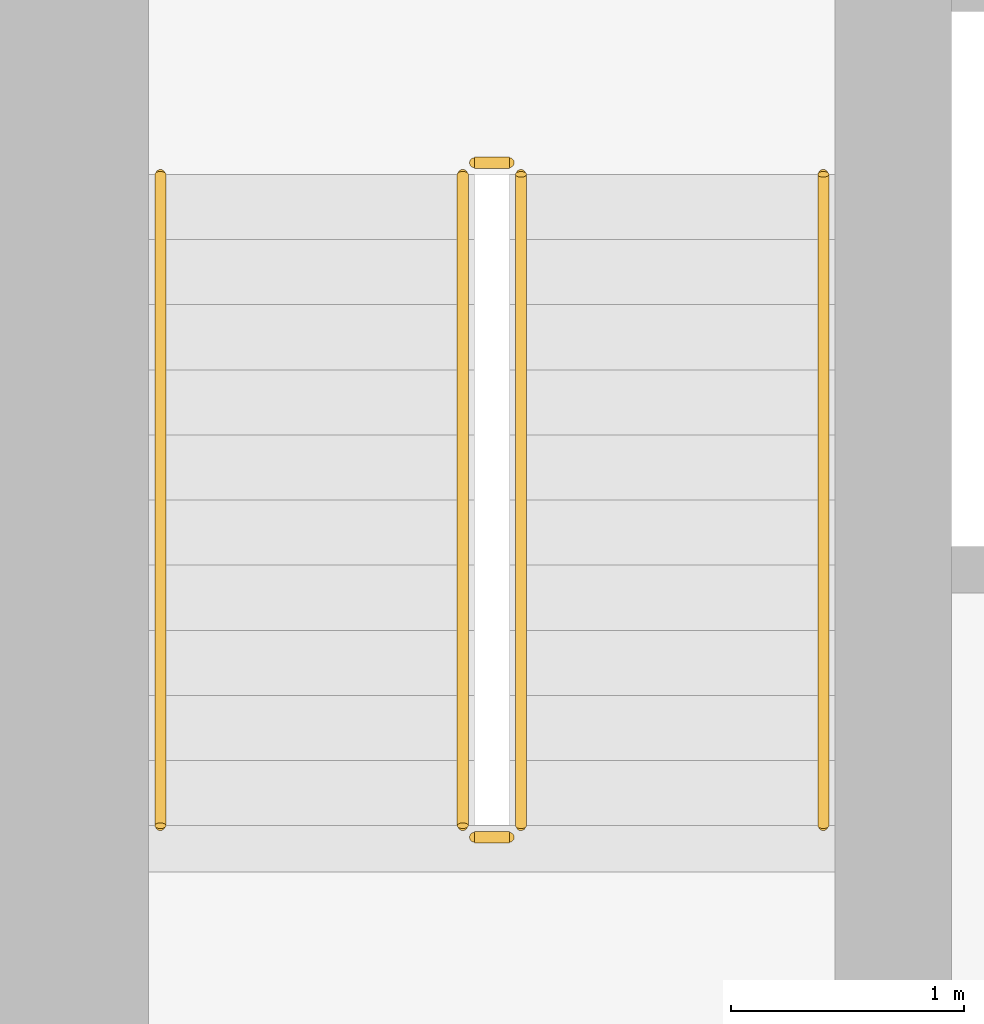
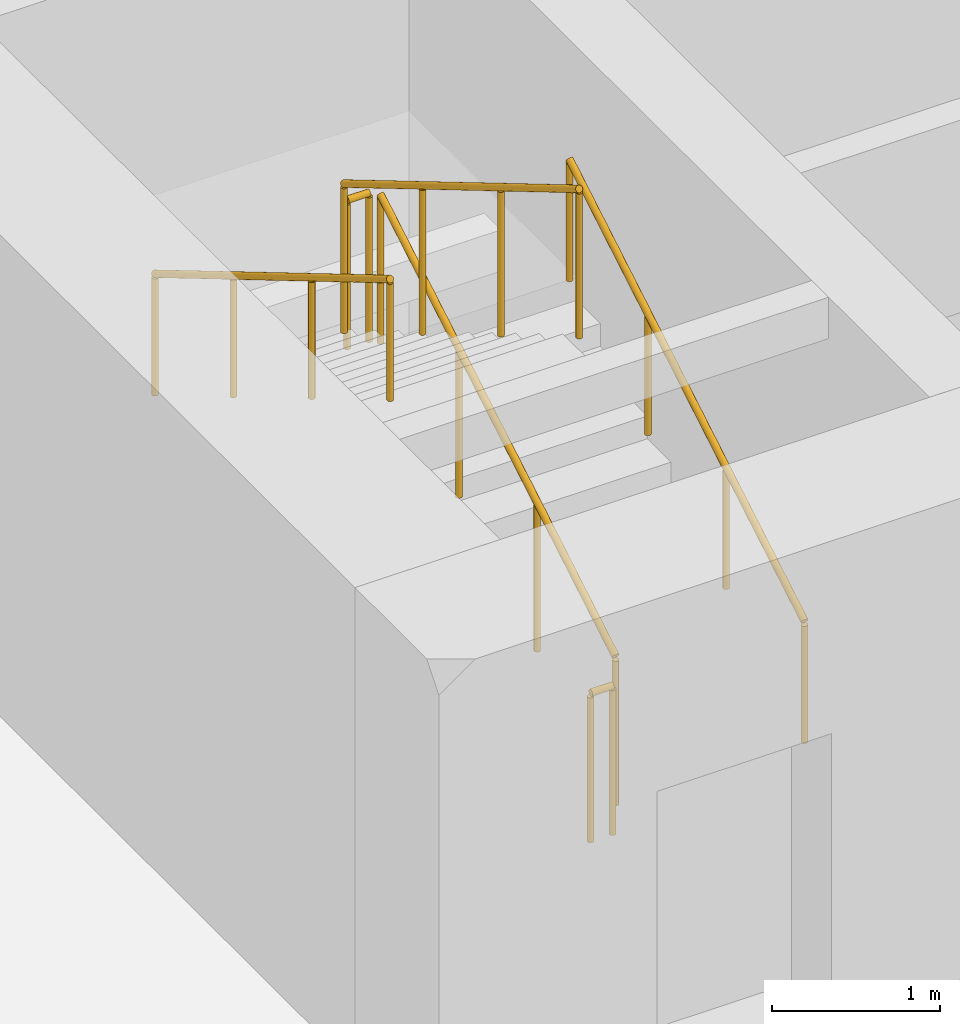
# One storey, part 35 of 51: 6 railings.
"""IFC4 building model written with IfcOpenShell, lengths in metres."""

from ifc_helpers import new_model, si_unit, direction, frame, origin, origin_2d, place, context, subcontext, project, spatial, circle, extrude, material, type_object, element, save


model = new_model("IFC4")

# Units and contexts
model_context = context("Model", 3, precision=1e-05, world=origin(), true_north=direction((0.0, 1.0)))
body_context = subcontext(model_context, "Body", "Model", "MODEL_VIEW")
ifc_project = project(units=[si_unit("LENGTHUNIT", "METRE"), si_unit("AREAUNIT", "SQUARE_METRE"), si_unit("VOLUMEUNIT", "CUBIC_METRE"), si_unit("PLANEANGLEUNIT", "RADIAN"), si_unit("MASSUNIT", "GRAM", prefix="KILO")], contexts=[model_context])

# Site, building, storey
site_placement = place(None, origin())
site = spatial("IfcSite", under=ifc_project, at=site_placement, CompositionType="ELEMENT")
building_placement = place(site_placement, origin())
building = spatial("IfcBuilding", under=site, at=building_placement, Name="Isthmus Gate Tower", CompositionType="ELEMENT")
storey_placement = place(building_placement, frame((0.0, 0.0, 36.0)))
storey = spatial("IfcBuildingStorey", under=building, at=storey_placement, Name="L06", CompositionType="ELEMENT", Elevation=36.0)

# Railings
ifc_material_1 = material(Name="Stainless steel balustrade", Category="steel")
railing_type_1 = type_object("IfcRailingType", Name="STAIR GUARD 1100", PredefinedType="GUARDRAIL", material=ifc_material_1)
railing_1_placement = place(storey_placement, frame((-12.39990234375, 2.39990234375, 0.166015625)))
element("IfcRailing", 1, at=railing_1_placement, inside=storey, type_object=railing_type_1, Name="L06 ST7 stair guard 1", PredefinedType="GUARDRAIL", context=body_context, shape_type="SweptSolid", body=[
    extrude(circle(Radius=0.02392578125, at=origin_2d()), frame((0.0, 0.0, 1.076171875), z_axis=(0.0, 0.860339051648, 0.50972219513), x_axis=(-1.0, 0.0, 0.0)), (0.0, 0.0, 1.0), 3.254638671875),
    extrude(circle(Radius=0.02099609375, at=origin_2d()), origin(), (0.0, 0.0, 1.0), 1.052001953125),
    extrude(circle(Radius=0.02099609375, at=origin_2d()), frame((0.0, 0.933349609375, 0.552978515625)), (0.0, 0.0, 1.0), 1.052001953125),
    extrude(circle(Radius=0.02099609375, at=origin_2d()), frame((0.0, 1.86669921875, 1.10595703125)), (0.0, 0.0, 1.0), 1.052001953125),
    extrude(circle(Radius=0.02099609375, at=origin_2d()), frame((0.0, 2.800048828125, 1.658935546875)), (0.0, 0.0, 1.0), 1.052001953125),
])
railing_2_placement = place(storey_placement, frame((-12.449951171875, 5.25, 1.824951171875)))
element("IfcRailing", 2, at=railing_2_placement, inside=storey, type_object=railing_type_1, Name="L06 ST7 stair guard 2", PredefinedType="GUARDRAIL", context=body_context, shape_type="SweptSolid", body=[
    extrude(circle(Radius=0.02392578125, at=origin_2d()), frame((0.0, 0.0, 1.076171875), z_axis=(-1.0, 0.0, 0.0), x_axis=(0.0, -1.0, 0.0)), (0.0, 0.0, 1.0), 0.150146484375),
    extrude(circle(Radius=0.02099609375, at=origin_2d()), origin(), (0.0, 0.0, 1.0), 1.052001953125),
    extrude(circle(Radius=0.02099609375, at=origin_2d()), frame((-0.150146484375, 0.0, 0.0)), (0.0, 0.0, 1.0), 1.052001953125),
])
railing_3_placement = place(storey_placement, frame((-12.64990234375, 5.199951171875, 1.990966796875)))
element("IfcRailing", 3, at=railing_3_placement, inside=storey, type_object=railing_type_1, Name="L06 ST7 stair guard 3", PredefinedType="GUARDRAIL", context=body_context, shape_type="SweptSolid", body=[
    extrude(circle(Radius=0.02392578125, at=origin_2d()), frame((0.0, 0.0, 1.076171875), z_axis=(0.0, -0.860339051648, 0.50972219513), x_axis=(1.0, 0.0, 0.0)), (0.0, 0.0, 1.0), 3.254638671875),
    extrude(circle(Radius=0.02099609375, at=origin_2d()), origin(), (0.0, 0.0, 1.0), 1.052001953125),
    extrude(circle(Radius=0.02099609375, at=origin_2d()), frame((0.0, -0.933349609375, 0.552978515625)), (0.0, 0.0, 1.0), 1.052001953125),
    extrude(circle(Radius=0.02099609375, at=origin_2d()), frame((0.0, -1.86669921875, 1.10595703125)), (0.0, 0.0, 1.0), 1.052001953125),
    extrude(circle(Radius=0.02099609375, at=origin_2d()), frame((0.0, -2.800048828125, 1.658935546875)), (0.0, 0.0, 1.0), 1.052001953125),
])
railing_4_placement = place(storey_placement, frame((-12.449951171875, 2.35009765625, 0.0)))
element("IfcRailing", 4, at=railing_4_placement, inside=storey, type_object=railing_type_1, Name="L06 ST7 stair guard 4", PredefinedType="GUARDRAIL", context=body_context, shape_type="SweptSolid", body=[
    extrude(circle(Radius=0.02392578125, at=origin_2d()), frame((0.0, 0.0, 1.076171875), z_axis=(-1.0, 0.0, 0.0), x_axis=(0.0, -1.0, 0.0)), (0.0, 0.0, 1.0), 0.150146484375),
    extrude(circle(Radius=0.02099609375, at=origin_2d()), origin(), (0.0, 0.0, 1.0), 1.052001953125),
    extrude(circle(Radius=0.02099609375, at=origin_2d()), frame((-0.150146484375, 0.0, 0.0)), (0.0, 0.0, 1.0), 1.052001953125),
])
ifc_material_2 = material(Name="Stainless steel handrail", Category="steel")
railing_type_2 = type_object("IfcRailingType", Name="STAIR HANDRAIL 900", PredefinedType="HANDRAIL", material=ifc_material_2)
railing_5_placement = place(storey_placement, frame((-11.10009765625, 2.39990234375, 0.166015625)))
element("IfcRailing", 5, at=railing_5_placement, inside=storey, type_object=railing_type_2, Name="L06 ST7 stair handrail 1", PredefinedType="HANDRAIL", context=body_context, shape_type="SweptSolid", body=[
    extrude(circle(Radius=0.02392578125, at=origin_2d()), frame((0.0, 0.0, 0.8759765625), z_axis=(0.0, 0.860339051648, 0.50972219513), x_axis=(-1.0, 0.0, 0.0)), (0.0, 0.0, 1.0), 3.254638671875),
    extrude(circle(Radius=0.02099609375, at=origin_2d()), origin(), (0.0, 0.0, 1.0), 0.851806640625),
    extrude(circle(Radius=0.02099609375, at=origin_2d()), frame((0.0, 0.933349609375, 0.552978515625)), (0.0, 0.0, 1.0), 0.851806640625),
    extrude(circle(Radius=0.02099609375, at=origin_2d()), frame((0.0, 1.86669921875, 1.10595703125)), (0.0, 0.0, 1.0), 0.851806640625),
    extrude(circle(Radius=0.02099609375, at=origin_2d()), frame((0.0, 2.800048828125, 1.658935546875)), (0.0, 0.0, 1.0), 0.851806640625),
])
railing_6_placement = place(storey_placement, frame((-13.949951171875, 5.199951171875, 1.990966796875)))
element("IfcRailing", 6, at=railing_6_placement, inside=storey, type_object=railing_type_2, Name="L06 ST7 stair handrail 2", PredefinedType="HANDRAIL", context=body_context, shape_type="SweptSolid", body=[
    extrude(circle(Radius=0.02392578125, at=origin_2d()), frame((0.0, 0.0, 0.8759765625), z_axis=(0.0, -0.860339051648, 0.50972219513), x_axis=(1.0, 0.0, 0.0)), (0.0, 0.0, 1.0), 3.254638671875),
    extrude(circle(Radius=0.02099609375, at=origin_2d()), origin(), (0.0, 0.0, 1.0), 0.851806640625),
    extrude(circle(Radius=0.02099609375, at=origin_2d()), frame((0.0, -0.933349609375, 0.552978515625)), (0.0, 0.0, 1.0), 0.851806640625),
    extrude(circle(Radius=0.02099609375, at=origin_2d()), frame((0.0, -1.86669921875, 1.10595703125)), (0.0, 0.0, 1.0), 0.851806640625),
    extrude(circle(Radius=0.02099609375, at=origin_2d()), frame((0.0, -2.800048828125, 1.658935546875)), (0.0, 0.0, 1.0), 0.851806640625),
])

save(model, "model.ifc")
